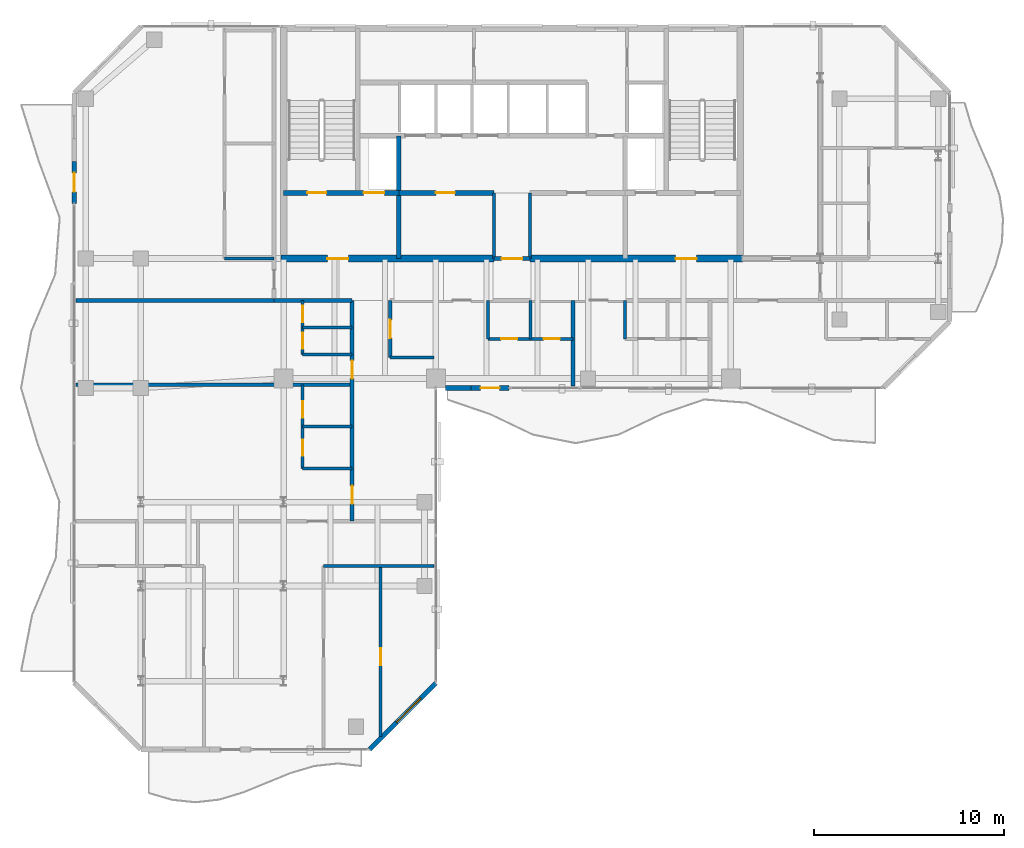
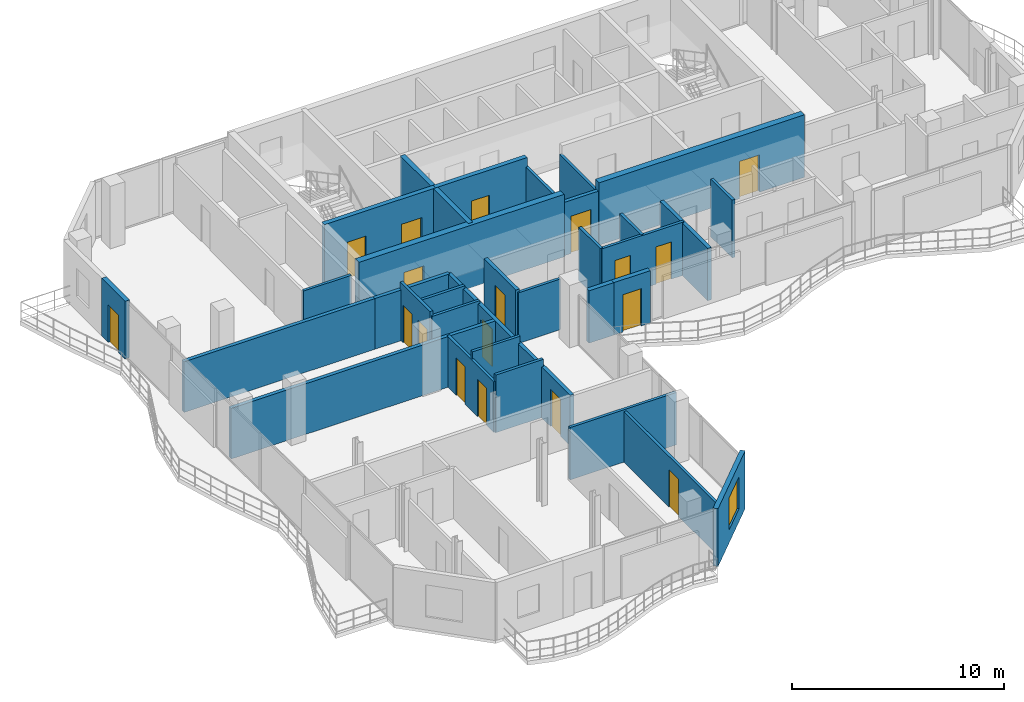
# One storey, part 18 of 23: 32 walls, 18 doors, 1 window, 19 openings.
"""IFC4 building model written with IfcOpenShell, lengths in metres."""

from ifc_helpers import new_model, si_unit, direction, frame, frame_2d, origin, place, context, subcontext, project, spatial, rectangle, extrude, material, layer, layer_set, type_object, element, fill, save


model = new_model("IFC4")

# Units and contexts
model_context = context("Model", 3, precision=1e-05, world=origin(), true_north=direction((0.0, 1.0)))
body_context = subcontext(model_context, "Body", "Model", "MODEL_VIEW")
ifc_project = project(units=[si_unit("LENGTHUNIT", "METRE"), si_unit("AREAUNIT", "SQUARE_METRE"), si_unit("VOLUMEUNIT", "CUBIC_METRE"), si_unit("PLANEANGLEUNIT", "RADIAN"), si_unit("MASSUNIT", "GRAM", prefix="KILO")], contexts=[model_context])

# Site, building, storey
site_placement = place(None, origin())
site = spatial("IfcSite", under=ifc_project, at=site_placement, CompositionType="ELEMENT")
building_placement = place(site_placement, origin())
building = spatial("IfcBuilding", under=site, at=building_placement, Name="Catumbela Crestline Tower", CompositionType="ELEMENT")
storey_placement = place(building_placement, frame((0.0, 0.0, 183.0)))
storey = spatial("IfcBuildingStorey", under=building, at=storey_placement, Name="L47", CompositionType="ELEMENT", Elevation=183.0)

# Wall
ifc_material_1 = material(Name="Concrete C50/60", Category="concrete")
ifc_layer_1 = layer(ifc_material_1, 0.25, Name="Concrete C50/60")
ifc_layer_set_1 = layer_set([ifc_layer_1], Name="Concrete C50/60")
wall_type_1 = type_object("IfcWallType", Name="CW-250D", PredefinedType="SHEAR", material=ifc_layer_set_1)
wall_1_placement = place(storey_placement, frame((22.05, 30.8, 0.0), z_axis=(0.0, 0.0, 1.0), x_axis=(0.0, 1.0, 0.0)))
element("IfcWall", 1, at=wall_1_placement, inside=storey, type_object=wall_type_1, Name="L47 Structural Core Shear Wall FFW", PredefinedType="SHEAR", context=body_context, shape_type="SweptSolid", body=[
    extrude(rectangle(XDim=6.45, YDim=0.25, at=frame_2d((3.225, 0.0))), origin(), (0.0, 0.0, 1.0), 3.6),
])

# Wall, openings, doors
wall_2_placement = place(storey_placement, frame((16.0, 34.25, 0.0), z_axis=(0.0, 0.0, 1.0), x_axis=(1.0, 0.0, 0.0)))
wall_2 = element("IfcWall", 2, at=wall_2_placement, inside=storey, type_object=wall_type_1, Name="L47 Structural Core Shear Wall ST1S", PredefinedType="SHEAR", context=body_context, shape_type="SweptSolid", body=[
    extrude(rectangle(XDim=6.05, YDim=0.25, at=frame_2d((3.025, 0.0))), origin(), (0.0, 0.0, 1.0), 3.6),
])
opening_1_placement = place(wall_2_placement, frame((1.25, 0.0, 0.0)))
opening_1 = element("IfcOpeningElement", 3, at=opening_1_placement, cuts=wall_2, Name="Opening DF9-100", PredefinedType="OPENING", context=body_context, shape_type="SweptSolid", body=[
    extrude(rectangle(XDim=1.0, YDim=2.15, at=frame_2d((0.5, 1.075))), frame((0.0, 0.135, 0.0), z_axis=(0.0, -1.0, 0.0), x_axis=(1.0, 0.0, 0.0)), (0.0, 0.0, 1.0), 0.27),
])
opening_2_placement = place(wall_2_placement, frame((4.2, 0.0, 0.0)))
opening_2 = element("IfcOpeningElement", 4, at=opening_2_placement, cuts=wall_2, Name="Opening LD-110", PredefinedType="OPENING", context=body_context, shape_type="SweptSolid", body=[
    extrude(rectangle(XDim=1.1, YDim=2.15, at=frame_2d((0.55, 1.075))), frame((0.0, 0.135, 0.0), z_axis=(0.0, -1.0, 0.0), x_axis=(1.0, 0.0, 0.0)), (0.0, 0.0, 1.0), 0.27),
])
ifc_material_2 = material(Name="Stainless steel EN 1.4401", Category="steel")
door_type_1 = type_object("IfcDoorType", Name="DF9-100", OperationType="NOTDEFINED", PredefinedType="DOOR", material=ifc_material_2)
door_1_placement = place(opening_1_placement, origin())
door_1 = element("IfcDoor", 5, at=door_1_placement, inside=storey, type_object=door_type_1, Name="L47 Interior Door DR-L47-ST01", OperationType="SINGLE_SWING_LEFT", OverallHeight=2.15, OverallWidth=1.0, PredefinedType="DOOR", context=body_context, shape_type="SweptSolid", body=[
    extrude(rectangle(XDim=1.0, YDim=2.15, at=frame_2d((0.5, 1.075))), frame((0.0, 0.025, 0.0), z_axis=(0.0, -1.0, 0.0), x_axis=(1.0, 0.0, 0.0)), (0.0, 0.0, 1.0), 0.05),
])
fill(opening_1, door_1)
door_type_2 = type_object("IfcDoorType", Name="LD-110", OperationType="NOTDEFINED", PredefinedType="DOOR", material=ifc_material_2)
door_2_placement = place(opening_2_placement, origin())
door_2 = element("IfcDoor", 6, at=door_2_placement, inside=storey, type_object=door_type_2, Name="L47 Lift Landing Sliding Door FL-01", OperationType="DOUBLE_DOOR_SLIDING", OverallHeight=2.15, OverallWidth=1.1, PredefinedType="DOOR", context=body_context, shape_type="SweptSolid", body=[
    extrude(rectangle(XDim=1.1, YDim=2.15, at=frame_2d((0.55, 1.075))), frame((0.0, 0.025, 0.0), z_axis=(0.0, -1.0, 0.0), x_axis=(1.0, 0.0, 0.0)), (0.0, 0.0, 1.0), 0.05),
])
fill(opening_2, door_2)

# Wall, opening, door
wall_3_placement = place(storey_placement, frame((22.05, 34.25, 0.0), z_axis=(0.0, 0.0, 1.0), x_axis=(1.0, 0.0, 0.0)))
wall_3 = element("IfcWall", 7, at=wall_3_placement, inside=storey, type_object=wall_type_1, Name="L47 Structural Core Shear Wall LIFTS-W", PredefinedType="SHEAR", context=body_context, shape_type="SweptSolid", body=[
    extrude(rectangle(XDim=5.0, YDim=0.25, at=frame_2d((2.5, 0.0))), origin(), (0.0, 0.0, 1.0), 3.6),
])
opening_3_placement = place(wall_3_placement, frame((1.95, 0.0, 0.0)))
opening_3 = element("IfcOpeningElement", 8, at=opening_3_placement, cuts=wall_3, Name="Opening DF9-100", PredefinedType="OPENING", context=body_context, shape_type="SweptSolid", body=[
    extrude(rectangle(XDim=1.0, YDim=2.15, at=frame_2d((0.5, 1.075))), frame((0.0, 0.135, 0.0), z_axis=(0.0, -1.0, 0.0), x_axis=(1.0, 0.0, 0.0)), (0.0, 0.0, 1.0), 0.27),
])
door_3_placement = place(opening_3_placement, origin())
door_3 = element("IfcDoor", 9, at=door_3_placement, inside=storey, type_object=door_type_1, Name="L47 Interior Door DR-L47-RECL1", OperationType="SINGLE_SWING_LEFT", OverallHeight=2.15, OverallWidth=1.0, PredefinedType="DOOR", context=body_context, shape_type="SweptSolid", body=[
    extrude(rectangle(XDim=1.0, YDim=2.15, at=frame_2d((0.5, 1.075))), frame((0.0, 0.025, 0.0), z_axis=(0.0, -1.0, 0.0), x_axis=(1.0, 0.0, 0.0)), (0.0, 0.0, 1.0), 0.05),
])
fill(opening_3, door_3)

ifc_layer_2 = layer(ifc_material_1, 0.35, Name="Concrete C50/60")
ifc_layer_set_2 = layer_set([ifc_layer_2], Name="Concrete C50/60")
wall_type_2 = type_object("IfcWallType", Name="CW-350B", PredefinedType="SHEAR", material=ifc_layer_set_2)
wall_4_placement = place(storey_placement, frame((15.85, 30.8, 0.0), z_axis=(0.0, 0.0, 1.0), x_axis=(1.0, 0.0, 0.0)))
wall_4 = element("IfcWall", 10, at=wall_4_placement, inside=storey, type_object=wall_type_2, Name="L47 Structural Core Shear Wall SW", PredefinedType="SHEAR", context=body_context, shape_type="SweptSolid", body=[
    extrude(rectangle(XDim=11.2, YDim=0.35, at=frame_2d((5.6, 0.0))), origin(), (0.0, 0.0, 1.0), 3.6),
])
opening_4_placement = place(wall_4_placement, frame((2.45, 0.0, 0.0)))
opening_4 = element("IfcOpeningElement", 11, at=opening_4_placement, cuts=wall_4, Name="Opening DF9-110", PredefinedType="OPENING", context=body_context, shape_type="SweptSolid", body=[
    extrude(rectangle(XDim=1.1, YDim=2.15, at=frame_2d((0.55, 1.075))), frame((0.0, 0.185, 0.0), z_axis=(0.0, -1.0, 0.0), x_axis=(1.0, 0.0, 0.0)), (0.0, 0.0, 1.0), 0.37),
])
door_type_3 = type_object("IfcDoorType", Name="DF9-110", OperationType="NOTDEFINED", PredefinedType="DOOR", material=ifc_material_2)
door_4_placement = place(opening_4_placement, origin())
door_4 = element("IfcDoor", 12, at=door_4_placement, inside=storey, type_object=door_type_3, Name="L47 Interior Door DR-L47-FFW-S", OperationType="SINGLE_SWING_LEFT", OverallHeight=2.15, OverallWidth=1.1, PredefinedType="DOOR", context=body_context, shape_type="SweptSolid", body=[
    extrude(rectangle(XDim=1.1, YDim=2.15, at=frame_2d((0.55, 1.075))), frame((0.0, 0.025, 0.0), z_axis=(0.0, -1.0, 0.0), x_axis=(1.0, 0.0, 0.0)), (0.0, 0.0, 1.0), 0.05),
])
fill(opening_4, door_4)

wall_5_placement = place(storey_placement, frame((28.95, 30.8, 0.0), z_axis=(0.0, 0.0, 1.0), x_axis=(1.0, 0.0, 0.0)))
wall_5 = element("IfcWall", 13, at=wall_5_placement, inside=storey, type_object=wall_type_2, Name="L47 Structural Core Shear Wall SE", PredefinedType="SHEAR", context=body_context, shape_type="SweptSolid", body=[
    extrude(rectangle(XDim=11.2, YDim=0.35, at=frame_2d((5.6, 0.0))), origin(), (0.0, 0.0, 1.0), 3.6),
])
opening_5_placement = place(wall_5_placement, frame((7.65, 0.0, 0.0)))
opening_5 = element("IfcOpeningElement", 14, at=opening_5_placement, cuts=wall_5, Name="Opening DF9-110", PredefinedType="OPENING", context=body_context, shape_type="SweptSolid", body=[
    extrude(rectangle(XDim=1.1, YDim=2.15, at=frame_2d((0.55, 1.075))), frame((0.0, 0.185, 0.0), z_axis=(0.0, -1.0, 0.0), x_axis=(1.0, 0.0, 0.0)), (0.0, 0.0, 1.0), 0.37),
])
door_5_placement = place(opening_5_placement, origin())
door_5 = element("IfcDoor", 15, at=door_5_placement, inside=storey, type_object=door_type_3, Name="L47 Interior Door DR-L47-FFE-S", OperationType="SINGLE_SWING_RIGHT", OverallHeight=2.15, OverallWidth=1.1, PredefinedType="DOOR", context=body_context, shape_type="SweptSolid", body=[
    extrude(rectangle(XDim=1.1, YDim=2.15, at=frame_2d((0.55, 1.075))), frame((0.0, 0.025, 0.0), z_axis=(0.0, -1.0, 0.0), x_axis=(1.0, 0.0, 0.0)), (0.0, 0.0, 1.0), 0.05),
])
fill(opening_5, door_5)

ifc_material_3 = material(Name="Acoustic gypsum and mineral-wool partition")
ifc_layer_3 = layer(ifc_material_3, 0.2, Name="Acoustic gypsum and mineral-wool partition")
ifc_layer_set_3 = layer_set([ifc_layer_3], Name="Acoustic gypsum and mineral-wool partition")
wall_type_3 = type_object("IfcWallType", Name="WC-200", PredefinedType="PARTITIONING", material=ifc_layer_set_3)
wall_6_placement = place(storey_placement, frame((27.05, 30.8, 0.0), z_axis=(0.0, 0.0, 1.0), x_axis=(1.0, 0.0, 0.0)))
wall_6 = element("IfcWall", 16, at=wall_6_placement, inside=storey, type_object=wall_type_3, Name="L47 Interior Partition PW-L47-CLOBS", PredefinedType="PARTITIONING", context=body_context, shape_type="SweptSolid", body=[
    extrude(rectangle(XDim=1.9, YDim=0.2, at=frame_2d((0.95, 0.0))), origin(), (0.0, 0.0, 1.0), 3.07),
])
opening_6_placement = place(wall_6_placement, frame((0.4, 0.0, 0.0)))
opening_6 = element("IfcOpeningElement", 17, at=opening_6_placement, cuts=wall_6, Name="Opening DF9-110", PredefinedType="OPENING", context=body_context, shape_type="SweptSolid", body=[
    extrude(rectangle(XDim=1.1, YDim=2.15, at=frame_2d((0.55, 1.075))), frame((0.0, 0.11, 0.0), z_axis=(0.0, -1.0, 0.0), x_axis=(1.0, 0.0, 0.0)), (0.0, 0.0, 1.0), 0.22),
])
door_6_placement = place(opening_6_placement, origin())
door_6 = element("IfcDoor", 18, at=door_6_placement, inside=storey, type_object=door_type_3, Name="L47 Interior Door DR-L47-CLOBS", OperationType="SINGLE_SWING_LEFT", OverallHeight=2.15, OverallWidth=1.1, PredefinedType="DOOR", context=body_context, shape_type="SweptSolid", body=[
    extrude(rectangle(XDim=1.1, YDim=2.15, at=frame_2d((0.55, 1.075))), frame((0.0, 0.025, 0.0), z_axis=(0.0, -1.0, 0.0), x_axis=(1.0, 0.0, 0.0)), (0.0, 0.0, 1.0), 0.05),
])
fill(opening_6, door_6)

# Wall
wall_7_placement = place(storey_placement, frame((15.5, 28.6, 0.0), z_axis=(0.0, 0.0, 1.0), x_axis=(1.0, 0.0, 0.0)))
element("IfcWall", 19, at=wall_7_placement, inside=storey, type_object=wall_type_3, Name="L47 Interior Partition PW-L47-RCWL", PredefinedType="PARTITIONING", context=body_context, shape_type="SweptSolid", body=[
    extrude(rectangle(XDim=4.1, YDim=0.2, at=frame_2d((2.05, 0.0))), origin(), (0.0, 0.0, 1.0), 2.92),
])

# Wall, openings, doors
wall_8_placement = place(storey_placement, frame((19.6, 17.0, 0.0), z_axis=(0.0, 0.0, 1.0), x_axis=(0.0, 1.0, 0.0)))
wall_8 = element("IfcWall", 20, at=wall_8_placement, inside=storey, type_object=wall_type_3, Name="L47 Interior Partition PW-L47-WL1-ENT", PredefinedType="PARTITIONING", context=body_context, shape_type="SweptSolid", body=[
    extrude(rectangle(XDim=11.6, YDim=0.2, at=frame_2d((5.8, 0.0))), origin(), (0.0, 0.0, 1.0), 2.92),
])
opening_7_placement = place(wall_8_placement, frame((7.493, 0.0, 0.0)))
opening_7 = element("IfcOpeningElement", 21, at=opening_7_placement, cuts=wall_8, Name="Opening DF6-095", PredefinedType="OPENING", context=body_context, shape_type="SweptSolid", body=[
    extrude(rectangle(XDim=0.95, YDim=2.15, at=frame_2d((0.475, 1.075))), frame((0.0, 0.11, 0.0), z_axis=(0.0, -1.0, 0.0), x_axis=(1.0, 0.0, 0.0)), (0.0, 0.0, 1.0), 0.22),
])
opening_8_placement = place(wall_8_placement, frame((0.909, 0.0, 0.0)))
opening_8 = element("IfcOpeningElement", 22, at=opening_8_placement, cuts=wall_8, Name="Opening DF6-095", PredefinedType="OPENING", context=body_context, shape_type="SweptSolid", body=[
    extrude(rectangle(XDim=0.95, YDim=2.15, at=frame_2d((0.475, 1.075))), frame((0.0, 0.11, 0.0), z_axis=(0.0, -1.0, 0.0), x_axis=(1.0, 0.0, 0.0)), (0.0, 0.0, 1.0), 0.22),
])
ifc_material_4 = material(Name="Aluminium alloy AW-6060-T66", Category="aluminium")
door_type_4 = type_object("IfcDoorType", Name="DF6-095", OperationType="NOTDEFINED", PredefinedType="DOOR", material=ifc_material_4)
door_7_placement = place(opening_7_placement, origin())
door_7 = element("IfcDoor", 23, at=door_7_placement, inside=storey, type_object=door_type_4, Name="L47 Interior Door DR-L47-WL1-ENT", OperationType="SINGLE_SWING_LEFT", OverallHeight=2.15, OverallWidth=0.95, PredefinedType="DOOR", context=body_context, shape_type="SweptSolid", body=[
    extrude(rectangle(XDim=0.95, YDim=2.15, at=frame_2d((0.475, 1.075))), frame((0.0, 0.025, 0.0), z_axis=(0.0, -1.0, 0.0), x_axis=(1.0, 0.0, 0.0)), (0.0, 0.0, 1.0), 0.05),
])
fill(opening_7, door_7)
door_8_placement = place(opening_8_placement, origin())
door_8 = element("IfcDoor", 24, at=door_8_placement, inside=storey, type_object=door_type_4, Name="L47 Interior Door DR-L47-WL2-ENT", OperationType="SINGLE_SWING_RIGHT", OverallHeight=2.15, OverallWidth=0.95, PredefinedType="DOOR", context=body_context, shape_type="SweptSolid", body=[
    extrude(rectangle(XDim=0.95, YDim=2.15, at=frame_2d((0.475, 1.075))), frame((0.0, 0.025, 0.0), z_axis=(0.0, -1.0, 0.0), x_axis=(1.0, 0.0, 0.0)), (0.0, 0.0, 1.0), 0.05),
])
fill(opening_8, door_8)

# Wall, opening, door
wall_9_placement = place(storey_placement, frame((21.6, 25.6, 0.0), z_axis=(0.0, 0.0, 1.0), x_axis=(0.0, 1.0, 0.0)))
wall_9 = element("IfcWall", 25, at=wall_9_placement, inside=storey, type_object=wall_type_3, Name="L47 Interior Partition PW-L47-RWAM-ENT", PredefinedType="PARTITIONING", context=body_context, shape_type="SweptSolid", body=[
    extrude(rectangle(XDim=3.0, YDim=0.2, at=frame_2d((1.5, 0.0))), origin(), (0.0, 0.0, 1.0), 3.07),
])
opening_9_placement = place(wall_9_placement, frame((1.025, 0.0, 0.0)))
opening_9 = element("IfcOpeningElement", 26, at=opening_9_placement, cuts=wall_9, Name="Opening DF6-095", PredefinedType="OPENING", context=body_context, shape_type="SweptSolid", body=[
    extrude(rectangle(XDim=0.95, YDim=2.15, at=frame_2d((0.475, 1.075))), frame((0.0, 0.11, 0.0), z_axis=(0.0, -1.0, 0.0), x_axis=(1.0, 0.0, 0.0)), (0.0, 0.0, 1.0), 0.22),
])
door_9_placement = place(opening_9_placement, origin())
door_9 = element("IfcDoor", 27, at=door_9_placement, inside=storey, type_object=door_type_4, Name="L47 Interior Door DR-L47-RWAM-ENT", OperationType="SINGLE_SWING_RIGHT", OverallHeight=2.15, OverallWidth=0.95, PredefinedType="DOOR", context=body_context, shape_type="SweptSolid", body=[
    extrude(rectangle(XDim=0.95, YDim=2.15, at=frame_2d((0.475, 1.075))), frame((0.0, 0.025, 0.0), z_axis=(0.0, -1.0, 0.0), x_axis=(1.0, 0.0, 0.0)), (0.0, 0.0, 1.0), 0.05),
])
fill(opening_9, door_9)

# Wall, opening, window
ifc_material_5 = material(Name="Angolan grey-ochre granite", Category="masonry")
ifc_layer_4 = layer(ifc_material_5, 0.25, Name="Angolan grey-ochre granite")
ifc_layer_set_4 = layer_set([ifc_layer_4], Name="Angolan grey-ochre granite")
wall_type_4 = type_object("IfcWallType", Name="WE-250", PredefinedType="STANDARD", material=ifc_layer_set_4)
wall_10_placement = place(storey_placement, frame((20.5, 5.0, 0.0), z_axis=(0.0, 0.0, 1.0), x_axis=(0.707106781187, 0.707106781187, 0.0)))
wall_10 = element("IfcWall", 28, at=wall_10_placement, inside=storey, type_object=wall_type_4, Name="L47 Granite Punched Window Wall 1-1", PredefinedType="STANDARD", context=body_context, shape_type="SweptSolid", body=[
    extrude(rectangle(XDim=4.9497, YDim=0.25, at=frame_2d((2.4748, 0.0))), origin(), (0.0, 0.0, 1.0), 3.33),
])
opening_10_placement = place(wall_10_placement, frame((2.0245, 0.0, 0.75)))
opening_10 = element("IfcOpeningElement", 29, at=opening_10_placement, cuts=wall_10, Name="Opening WN-01", PredefinedType="OPENING", context=body_context, shape_type="SweptSolid", body=[
    extrude(rectangle(XDim=1.8, YDim=1.85, at=frame_2d((0.9, 0.925))), frame((0.0, 0.135, 0.0), z_axis=(0.0, -1.0, 0.0), x_axis=(1.0, 0.0, 0.0)), (0.0, 0.0, 1.0), 0.27),
])
ifc_material_6 = material(Name="Low-E laminated solar-control double glazing", Category="glass")
window_type = type_object("IfcWindowType", Name="WF-1800", PartitioningType="SINGLE_PANEL", PredefinedType="WINDOW", material=ifc_material_6)
window_placement = place(opening_10_placement, origin())
window = element("IfcWindow", 30, at=window_placement, inside=storey, type_object=window_type, Name="L47 Facade Vision Window 297", OverallHeight=1.85, OverallWidth=1.8, PartitioningType="SINGLE_PANEL", PredefinedType="WINDOW", context=body_context, shape_type="SweptSolid", body=[
    extrude(rectangle(XDim=1.8, YDim=1.85, at=frame_2d((0.9, 0.925))), frame((0.0, 0.03, 0.0), z_axis=(0.0, -1.0, 0.0), x_axis=(1.0, 0.0, 0.0)), (0.0, 0.0, 1.0), 0.06),
])
fill(opening_10, window)

# Wall, opening, door
wall_11_placement = place(storey_placement, frame((25.85, 24.0, 0.0), z_axis=(0.0, 0.0, 1.0), x_axis=(1.0, 0.0, 0.0)))
wall_11 = element("IfcWall", 31, at=wall_11_placement, inside=storey, type_object=wall_type_4, Name="L47 Exterior Threshold Portal Wall DR-L47-WBAL-1", PredefinedType="STANDARD", context=body_context, shape_type="SweptSolid", body=[
    extrude(rectangle(XDim=2.0, YDim=0.25, at=frame_2d((1.0, 0.0))), origin(), (0.0, 0.0, 1.0), 3.02),
])
opening_11_placement = place(wall_11_placement, frame((0.5, 0.0, 0.0)))
opening_11 = element("IfcOpeningElement", 32, at=opening_11_placement, cuts=wall_11, Name="Opening DB-L47-1", PredefinedType="OPENING", context=body_context, shape_type="SweptSolid", body=[
    extrude(rectangle(XDim=1.0, YDim=2.15, at=frame_2d((0.5, 1.075))), frame((0.0, 0.135, 0.0), z_axis=(0.0, -1.0, 0.0), x_axis=(1.0, 0.0, 0.0)), (0.0, 0.0, 1.0), 0.27),
])
door_type_5 = type_object("IfcDoorType", Name="DB-1000", OperationType="NOTDEFINED", PredefinedType="DOOR", material=ifc_material_4)
door_10_placement = place(opening_11_placement, origin())
door_10 = element("IfcDoor", 33, at=door_10_placement, inside=storey, type_object=door_type_5, Name="L47 Wave Balcony Terrace Door 1", OperationType="SINGLE_SWING_LEFT", OverallHeight=2.15, OverallWidth=1.0, PredefinedType="DOOR", context=body_context, shape_type="SweptSolid", body=[
    extrude(rectangle(XDim=1.0, YDim=2.15, at=frame_2d((0.5, 1.075))), frame((0.0, 0.025, 0.0), z_axis=(0.0, -1.0, 0.0), x_axis=(1.0, 0.0, 0.0)), (0.0, 0.0, 1.0), 0.05),
])
fill(opening_11, door_10)

# Wall
wall_12_placement = place(storey_placement, frame((24.5, 24.0, 0.0), z_axis=(0.0, 0.0, 1.0), x_axis=(1.0, 0.0, 0.0)))
element("IfcWall", 34, at=wall_12_placement, inside=storey, type_object=wall_type_4, Name="L47 Granite Punched Window Wall 3-1", PredefinedType="STANDARD", context=body_context, shape_type="SweptSolid", body=[
    extrude(rectangle(XDim=1.35, YDim=0.25, at=frame_2d((0.675, 0.0))), origin(), (0.0, 0.0, 1.0), 3.02),
])

# Wall, opening, door
wall_13_placement = place(storey_placement, frame((5.0, 35.9, 0.0), z_axis=(0.0, 0.0, 1.0), x_axis=(0.0, -1.0, 0.0)))
wall_13 = element("IfcWall", 35, at=wall_13_placement, inside=storey, type_object=wall_type_4, Name="L47 Exterior Threshold Portal Wall DR-L47-WBAL-4", PredefinedType="STANDARD", context=body_context, shape_type="SweptSolid", body=[
    extrude(rectangle(XDim=2.2, YDim=0.25, at=frame_2d((1.1, 0.0))), origin(), (0.0, 0.0, 1.0), 3.33),
])
opening_12_placement = place(wall_13_placement, frame((0.6, 0.0, 0.0)))
opening_12 = element("IfcOpeningElement", 36, at=opening_12_placement, cuts=wall_13, Name="Opening DB-L47-4", PredefinedType="OPENING", context=body_context, shape_type="SweptSolid", body=[
    extrude(rectangle(XDim=1.0, YDim=2.15, at=frame_2d((0.5, 1.075))), frame((0.0, 0.135, 0.0), z_axis=(0.0, -1.0, 0.0), x_axis=(1.0, 0.0, 0.0)), (0.0, 0.0, 1.0), 0.27),
])
door_11_placement = place(opening_12_placement, origin())
door_11 = element("IfcDoor", 37, at=door_11_placement, inside=storey, type_object=door_type_5, Name="L47 Wave Balcony Terrace Door 4", OperationType="SINGLE_SWING_RIGHT", OverallHeight=2.15, OverallWidth=1.0, PredefinedType="DOOR", context=body_context, shape_type="SweptSolid", body=[
    extrude(rectangle(XDim=1.0, YDim=2.15, at=frame_2d((0.5, 1.075))), frame((0.0, 0.025, 0.0), z_axis=(0.0, -1.0, 0.0), x_axis=(1.0, 0.0, 0.0)), (0.0, 0.0, 1.0), 0.05),
])
fill(opening_12, door_11)

# Walls
ifc_layer_5 = layer(ifc_material_3, 0.15, Name="Acoustic gypsum and mineral-wool partition")
ifc_layer_set_5 = layer_set([ifc_layer_5], Name="Acoustic gypsum and mineral-wool partition")
wall_type_5 = type_object("IfcWallType", Name="WP-150", PredefinedType="PARTITIONING", material=ifc_layer_set_5)
wall_14_placement = place(storey_placement, frame((12.9, 30.8, 0.0), z_axis=(0.0, 0.0, 1.0), x_axis=(1.0, 0.0, 0.0)))
element("IfcWall", 38, at=wall_14_placement, inside=storey, type_object=wall_type_5, Name="L47 Interior Partition PW-L47-NW1-KBS", PredefinedType="PARTITIONING", context=body_context, shape_type="SweptSolid", body=[
    extrude(rectangle(XDim=2.6, YDim=0.15, at=frame_2d((1.3, 0.0))), origin(), (0.0, 0.0, 1.0), 2.92),
])
for number, where, z_axis, x_axis, name in (
    (39, (26.736, 26.576, 0.0), (0.0, 0.0, 1.0), (0.0, 1.0, 0.0), "L47 Interior Partition PW-L47-S1-KBW"),
    (40, (28.968, 26.576, 0.0), (0.0, 0.0, 1.0), (0.0, 1.0, 0.0), "L47 Interior Partition PW-L47-S1-KBM"),
):
    element("IfcWall", number, at=place(storey_placement, frame(where, z_axis=z_axis, x_axis=x_axis)), inside=storey, type_object=wall_type_5, Name=name, PredefinedType="PARTITIONING", context=body_context, shape_type="SweptSolid", body=[
        extrude(rectangle(XDim=2.024, YDim=0.15, at=frame_2d((1.012, 0.0))), origin(), (0.0, 0.0, 1.0), 3.07),
    ])

# Wall, openings, doors
wall_15_placement = place(storey_placement, frame((26.736, 26.576, 0.0), z_axis=(0.0, 0.0, 1.0), x_axis=(1.0, 0.0, 0.0)))
wall_15 = element("IfcWall", 41, at=wall_15_placement, inside=storey, type_object=wall_type_5, Name="L47 Interior Partition PW-L47-S1-KBD1", PredefinedType="PARTITIONING", context=body_context, shape_type="SweptSolid", body=[
    extrude(rectangle(XDim=4.464, YDim=0.15, at=frame_2d((2.232, 0.0))), origin(), (0.0, 0.0, 1.0), 3.07),
])
opening_13_placement = place(wall_15_placement, frame((0.691, 0.0, 0.0)))
opening_13 = element("IfcOpeningElement", 42, at=opening_13_placement, cuts=wall_15, Name="Opening DI-085", PredefinedType="OPENING", context=body_context, shape_type="SweptSolid", body=[
    extrude(rectangle(XDim=0.85, YDim=2.15, at=frame_2d((0.425, 1.075))), frame((0.0, 0.085, 0.0), z_axis=(0.0, -1.0, 0.0), x_axis=(1.0, 0.0, 0.0)), (0.0, 0.0, 1.0), 0.17),
])
opening_14_placement = place(wall_15_placement, frame((2.923, 0.0, 0.0)))
opening_14 = element("IfcOpeningElement", 43, at=opening_14_placement, cuts=wall_15, Name="Opening DI-085", PredefinedType="OPENING", context=body_context, shape_type="SweptSolid", body=[
    extrude(rectangle(XDim=0.85, YDim=2.15, at=frame_2d((0.425, 1.075))), frame((0.0, 0.085, 0.0), z_axis=(0.0, -1.0, 0.0), x_axis=(1.0, 0.0, 0.0)), (0.0, 0.0, 1.0), 0.17),
])
door_type_6 = type_object("IfcDoorType", Name="DI-085", OperationType="NOTDEFINED", PredefinedType="DOOR", material=ifc_material_4)
door_12_placement = place(opening_13_placement, origin())
door_12 = element("IfcDoor", 44, at=door_12_placement, inside=storey, type_object=door_type_6, Name="L47 Interior Door DR-L47-S1-BTH", OperationType="SINGLE_SWING_LEFT", OverallHeight=2.15, OverallWidth=0.85, PredefinedType="DOOR", context=body_context, shape_type="SweptSolid", body=[
    extrude(rectangle(XDim=0.85, YDim=2.15, at=frame_2d((0.425, 1.075))), frame((0.0, 0.025, 0.0), z_axis=(0.0, -1.0, 0.0), x_axis=(1.0, 0.0, 0.0)), (0.0, 0.0, 1.0), 0.05),
])
fill(opening_13, door_12)
door_13_placement = place(opening_14_placement, origin())
door_13 = element("IfcDoor", 45, at=door_13_placement, inside=storey, type_object=door_type_6, Name="L47 Interior Door DR-L47-S1-KIT", OperationType="SINGLE_SWING_RIGHT", OverallHeight=2.15, OverallWidth=0.85, PredefinedType="DOOR", context=body_context, shape_type="SweptSolid", body=[
    extrude(rectangle(XDim=0.85, YDim=2.15, at=frame_2d((0.425, 1.075))), frame((0.0, 0.025, 0.0), z_axis=(0.0, -1.0, 0.0), x_axis=(1.0, 0.0, 0.0)), (0.0, 0.0, 1.0), 0.05),
])
fill(opening_14, door_13)

# Walls
wall_16_placement = place(storey_placement, frame((33.936, 26.576, 0.0), z_axis=(0.0, 0.0, 1.0), x_axis=(0.0, 1.0, 0.0)))
element("IfcWall", 46, at=wall_16_placement, inside=storey, type_object=wall_type_5, Name="L47 Interior Partition PW-L47-S2-KBW", PredefinedType="PARTITIONING", context=body_context, shape_type="SweptSolid", body=[
    extrude(rectangle(XDim=2.024, YDim=0.15, at=frame_2d((1.012, 0.0))), origin(), (0.0, 0.0, 1.0), 3.33),
])
for number, where, z_axis, x_axis, name in (
    (47, (17.0, 25.768, 0.0), (0.0, 0.0, 1.0), (1.0, 0.0, 0.0), "L47 Interior Partition PW-L47-WL1-KBS"),
    (48, (17.0, 27.184, 0.0), (0.0, 0.0, 1.0), (1.0, 0.0, 0.0), "L47 Interior Partition PW-L47-WL1-KBM"),
):
    element("IfcWall", number, at=place(storey_placement, frame(where, z_axis=z_axis, x_axis=x_axis)), inside=storey, type_object=wall_type_5, Name=name, PredefinedType="PARTITIONING", context=body_context, shape_type="SweptSolid", body=[
        extrude(rectangle(XDim=2.6, YDim=0.15, at=frame_2d((1.3, 0.0))), origin(), (0.0, 0.0, 1.0), 3.07),
    ])

# Wall, openings, doors
wall_17_placement = place(storey_placement, frame((17.0, 25.768, 0.0), z_axis=(0.0, 0.0, 1.0), x_axis=(0.0, 1.0, 0.0)))
wall_17 = element("IfcWall", 49, at=wall_17_placement, inside=storey, type_object=wall_type_5, Name="L47 Interior Partition PW-L47-WL1-SK1", PredefinedType="PARTITIONING", context=body_context, shape_type="SweptSolid", body=[
    extrude(rectangle(XDim=2.832, YDim=0.15, at=frame_2d((1.416, 0.0))), origin(), (0.0, 0.0, 1.0), 3.33),
])
opening_15_placement = place(wall_17_placement, frame((0.283, 0.0, 0.0)))
opening_15 = element("IfcOpeningElement", 50, at=opening_15_placement, cuts=wall_17, Name="Opening DI-085", PredefinedType="OPENING", context=body_context, shape_type="SweptSolid", body=[
    extrude(rectangle(XDim=0.85, YDim=2.15, at=frame_2d((0.425, 1.075))), frame((0.0, 0.085, 0.0), z_axis=(0.0, -1.0, 0.0), x_axis=(1.0, 0.0, 0.0)), (0.0, 0.0, 1.0), 0.17),
])
opening_16_placement = place(wall_17_placement, frame((1.699, 0.0, 0.0)))
opening_16 = element("IfcOpeningElement", 51, at=opening_16_placement, cuts=wall_17, Name="Opening DI-085", PredefinedType="OPENING", context=body_context, shape_type="SweptSolid", body=[
    extrude(rectangle(XDim=0.85, YDim=2.15, at=frame_2d((0.425, 1.075))), frame((0.0, 0.085, 0.0), z_axis=(0.0, -1.0, 0.0), x_axis=(1.0, 0.0, 0.0)), (0.0, 0.0, 1.0), 0.17),
])
door_14_placement = place(opening_15_placement, origin())
door_14 = element("IfcDoor", 52, at=door_14_placement, inside=storey, type_object=door_type_6, Name="L47 Interior Door DR-L47-WL1-KIT", OperationType="SINGLE_SWING_LEFT", OverallHeight=2.15, OverallWidth=0.85, PredefinedType="DOOR", context=body_context, shape_type="SweptSolid", body=[
    extrude(rectangle(XDim=0.85, YDim=2.15, at=frame_2d((0.425, 1.075))), frame((0.0, 0.025, 0.0), z_axis=(0.0, -1.0, 0.0), x_axis=(1.0, 0.0, 0.0)), (0.0, 0.0, 1.0), 0.05),
])
fill(opening_15, door_14)
door_15_placement = place(opening_16_placement, origin())
door_15 = element("IfcDoor", 53, at=door_15_placement, inside=storey, type_object=door_type_6, Name="L47 Interior Door DR-L47-WL1-BTH", OperationType="SINGLE_SWING_RIGHT", OverallHeight=2.15, OverallWidth=0.85, PredefinedType="DOOR", context=body_context, shape_type="SweptSolid", body=[
    extrude(rectangle(XDim=0.85, YDim=2.15, at=frame_2d((0.425, 1.075))), frame((0.0, 0.025, 0.0), z_axis=(0.0, -1.0, 0.0), x_axis=(1.0, 0.0, 0.0)), (0.0, 0.0, 1.0), 0.05),
])
fill(opening_16, door_15)

# Walls
for number, where, z_axis, x_axis, name in (
    (54, (17.0, 19.768, 0.0), (0.0, 0.0, 1.0), (1.0, 0.0, 0.0), "L47 Interior Partition PW-L47-WL2-KBS"),
    (55, (17.0, 21.968, 0.0), (0.0, 0.0, 1.0), (1.0, 0.0, 0.0), "L47 Interior Partition PW-L47-WL2-KBM"),
):
    element("IfcWall", number, at=place(storey_placement, frame(where, z_axis=z_axis, x_axis=x_axis)), inside=storey, type_object=wall_type_5, Name=name, PredefinedType="PARTITIONING", context=body_context, shape_type="SweptSolid", body=[
        extrude(rectangle(XDim=2.6, YDim=0.15, at=frame_2d((1.3, 0.0))), origin(), (0.0, 0.0, 1.0), 3.33),
    ])

# Wall, openings, doors
wall_18_placement = place(storey_placement, frame((17.0, 19.768, 0.0), z_axis=(0.0, 0.0, 1.0), x_axis=(0.0, 1.0, 0.0)))
wall_18 = element("IfcWall", 56, at=wall_18_placement, inside=storey, type_object=wall_type_5, Name="L47 Interior Partition PW-L47-WL2-SK1", PredefinedType="PARTITIONING", context=body_context, shape_type="SweptSolid", body=[
    extrude(rectangle(XDim=4.4, YDim=0.15, at=frame_2d((2.2, 0.0))), origin(), (0.0, 0.0, 1.0), 2.92),
])
opening_17_placement = place(wall_18_placement, frame((0.675, 0.0, 0.0)))
opening_17 = element("IfcOpeningElement", 57, at=opening_17_placement, cuts=wall_18, Name="Opening DI-085", PredefinedType="OPENING", context=body_context, shape_type="SweptSolid", body=[
    extrude(rectangle(XDim=0.85, YDim=2.15, at=frame_2d((0.425, 1.075))), frame((0.0, 0.085, 0.0), z_axis=(0.0, -1.0, 0.0), x_axis=(1.0, 0.0, 0.0)), (0.0, 0.0, 1.0), 0.17),
])
opening_18_placement = place(wall_18_placement, frame((2.6767, 0.0, 0.0)))
opening_18 = element("IfcOpeningElement", 58, at=opening_18_placement, cuts=wall_18, Name="Opening DI-085", PredefinedType="OPENING", context=body_context, shape_type="SweptSolid", body=[
    extrude(rectangle(XDim=0.85, YDim=2.15, at=frame_2d((0.425, 1.075))), frame((0.0, 0.085, 0.0), z_axis=(0.0, -1.0, 0.0), x_axis=(1.0, 0.0, 0.0)), (0.0, 0.0, 1.0), 0.17),
])
door_16_placement = place(opening_17_placement, origin())
door_16 = element("IfcDoor", 59, at=door_16_placement, inside=storey, type_object=door_type_6, Name="L47 Interior Door DR-L47-WL2-KIT", OperationType="SINGLE_SWING_LEFT", OverallHeight=2.15, OverallWidth=0.85, PredefinedType="DOOR", context=body_context, shape_type="SweptSolid", body=[
    extrude(rectangle(XDim=0.85, YDim=2.15, at=frame_2d((0.425, 1.075))), frame((0.0, 0.025, 0.0), z_axis=(0.0, -1.0, 0.0), x_axis=(1.0, 0.0, 0.0)), (0.0, 0.0, 1.0), 0.05),
])
fill(opening_17, door_16)
door_17_placement = place(opening_18_placement, origin())
door_17 = element("IfcDoor", 60, at=door_17_placement, inside=storey, type_object=door_type_6, Name="L47 Interior Door DR-L47-WL2-BTH", OperationType="SINGLE_SWING_LEFT", OverallHeight=2.15, OverallWidth=0.85, PredefinedType="DOOR", context=body_context, shape_type="SweptSolid", body=[
    extrude(rectangle(XDim=0.85, YDim=2.15, at=frame_2d((0.425, 1.075))), frame((0.0, 0.025, 0.0), z_axis=(0.0, -1.0, 0.0), x_axis=(1.0, 0.0, 0.0)), (0.0, 0.0, 1.0), 0.05),
])
fill(opening_18, door_17)

# Walls
wall_19_placement = place(storey_placement, frame((21.6, 25.6, 0.0), z_axis=(0.0, 0.0, 1.0), x_axis=(1.0, 0.0, 0.0)))
element("IfcWall", 61, at=wall_19_placement, inside=storey, type_object=wall_type_5, Name="L47 Interior Partition PW-L47-RWRP", PredefinedType="PARTITIONING", context=body_context, shape_type="SweptSolid", body=[
    extrude(rectangle(XDim=2.3, YDim=0.15, at=frame_2d((1.15, 0.0))), origin(), (0.0, 0.0, 1.0), 2.92),
])
wall_20_placement = place(storey_placement, frame((18.1, 14.65, 0.0), z_axis=(0.0, 0.0, 1.0), x_axis=(1.0, 0.0, 0.0)))
element("IfcWall", 62, at=wall_20_placement, inside=storey, type_object=wall_type_5, Name="L47 Interior Partition PW-L47-SH1-BDRH", PredefinedType="PARTITIONING", context=body_context, shape_type="SweptSolid", body=[
    extrude(rectangle(XDim=5.8, YDim=0.15, at=frame_2d((2.9, 0.0))), origin(), (0.0, 0.0, 1.0), 3.02),
])

# Wall, opening, door
wall_21_placement = place(storey_placement, frame((21.1, 5.7, 0.0), z_axis=(0.0, 0.0, 1.0), x_axis=(0.0, 1.0, 0.0)))
wall_21 = element("IfcWall", 63, at=wall_21_placement, inside=storey, type_object=wall_type_5, Name="L47 Interior Partition PW-L47-SH1-BDR", PredefinedType="PARTITIONING", context=body_context, shape_type="SweptSolid", body=[
    extrude(rectangle(XDim=8.95, YDim=0.15, at=frame_2d((4.475, 0.0))), origin(), (0.0, 0.0, 1.0), 2.92),
])
opening_19_placement = place(wall_21_placement, frame((3.725, 0.0, 0.0)))
opening_19 = element("IfcOpeningElement", 64, at=opening_19_placement, cuts=wall_21, Name="Opening DI-090", PredefinedType="OPENING", context=body_context, shape_type="SweptSolid", body=[
    extrude(rectangle(XDim=0.9, YDim=2.15, at=frame_2d((0.45, 1.075))), frame((0.0, 0.085, 0.0), z_axis=(0.0, -1.0, 0.0), x_axis=(1.0, 0.0, 0.0)), (0.0, 0.0, 1.0), 0.17),
])
door_type_7 = type_object("IfcDoorType", Name="DI-090", OperationType="NOTDEFINED", PredefinedType="DOOR", material=ifc_material_4)
door_18_placement = place(opening_19_placement, origin())
door_18 = element("IfcDoor", 65, at=door_18_placement, inside=storey, type_object=door_type_7, Name="L47 Interior Door DR-L47-SH1-BD2", OperationType="SINGLE_SWING_RIGHT", OverallHeight=2.15, OverallWidth=0.9, PredefinedType="DOOR", context=body_context, shape_type="SweptSolid", body=[
    extrude(rectangle(XDim=0.9, YDim=2.15, at=frame_2d((0.45, 1.075))), frame((0.0, 0.025, 0.0), z_axis=(0.0, -1.0, 0.0), x_axis=(1.0, 0.0, 0.0)), (0.0, 0.0, 1.0), 0.05),
])
fill(opening_19, door_18)

# Walls
ifc_layer_6 = layer(ifc_material_3, 0.2, Name="Acoustic gypsum and mineral-wool partition")
ifc_layer_set_6 = layer_set([ifc_layer_6], Name="Acoustic gypsum and mineral-wool partition")
wall_type_6 = type_object("IfcWallType", Name="WY-200", PredefinedType="PARTITIONING", material=ifc_layer_set_6)
wall_22_placement = place(storey_placement, frame((5.1, 28.6, 0.0), z_axis=(0.0, 0.0, 1.0), x_axis=(1.0, 0.0, 0.0)))
element("IfcWall", 66, at=wall_22_placement, inside=storey, type_object=wall_type_6, Name="L47 Interior Partition PW-L47-RCWNW", PredefinedType="PARTITIONING", context=body_context, shape_type="SweptSolid", body=[
    extrude(rectangle(XDim=10.4, YDim=0.2, at=frame_2d((5.2, 0.0))), origin(), (0.0, 0.0, 1.0), 2.92),
])
wall_23_placement = place(storey_placement, frame((31.2, 24.1, 0.0), z_axis=(0.0, 0.0, 1.0), x_axis=(0.0, 1.0, 0.0)))
element("IfcWall", 67, at=wall_23_placement, inside=storey, type_object=wall_type_6, Name="L47 Interior Partition PW-L47-RSPP-2", PredefinedType="PARTITIONING", context=body_context, shape_type="SweptSolid", body=[
    extrude(rectangle(XDim=4.5, YDim=0.2, at=frame_2d((2.25, 0.0))), origin(), (0.0, 0.0, 1.0), 3.02),
])
wall_24_placement = place(storey_placement, frame((5.1, 24.168, 0.0), z_axis=(0.0, 0.0, 1.0), x_axis=(1.0, 0.0, 0.0)))
element("IfcWall", 68, at=wall_24_placement, inside=storey, type_object=wall_type_6, Name="L47 Interior Partition PW-L47-RWLP", PredefinedType="PARTITIONING", context=body_context, shape_type="SweptSolid", body=[
    extrude(rectangle(XDim=14.5, YDim=0.2, at=frame_2d((7.25, 0.0))), origin(), (0.0, 0.0, 1.0), 2.92),
])
ifc_layer_7 = layer(ifc_material_3, 0.15, Name="Acoustic gypsum and mineral-wool partition")
ifc_layer_set_7 = layer_set([ifc_layer_7], Name="Acoustic gypsum and mineral-wool partition")
wall_type_7 = type_object("IfcWallType", Name="WS-150", PredefinedType="PLUMBINGWALL", material=ifc_layer_set_7)
for number, where, z_axis, x_axis, name in (
    (69, (27.05, 30.8, 0.0), (0.0, 0.0, 1.0), (0.0, 1.0, 0.0), "L47 Interior Partition PW-L47-THRW"),
    (70, (28.95, 30.8, 0.0), (0.0, 0.0, 1.0), (0.0, 1.0, 0.0), "L47 Interior Partition PW-L47-THRE"),
):
    element("IfcWall", number, at=place(storey_placement, frame(where, z_axis=z_axis, x_axis=x_axis)), inside=storey, type_object=wall_type_7, Name=name, PredefinedType="PLUMBINGWALL", context=body_context, shape_type="SweptSolid", body=[
        extrude(rectangle(XDim=3.45, YDim=0.15, at=frame_2d((1.725, 0.0))), origin(), (0.0, 0.0, 1.0), 3.07),
    ])

save(model, "model.ifc")
